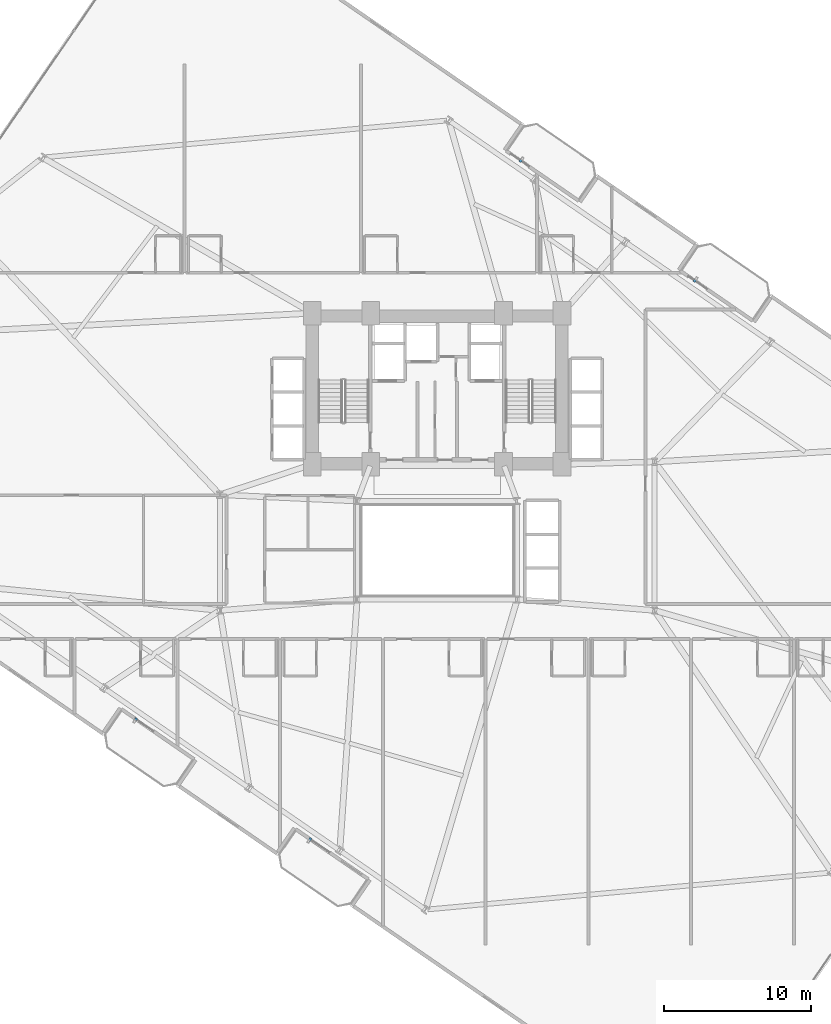
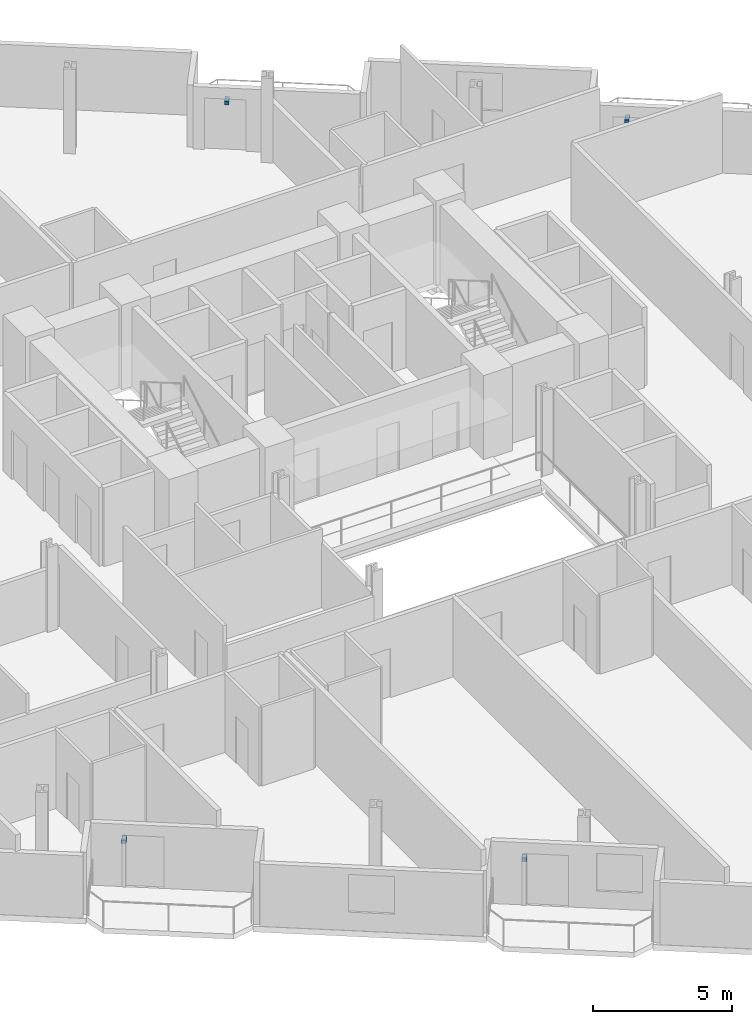
# One storey, part 22 of 25: 4 discrete accessories.
"""IFC4 building model written with IfcOpenShell, lengths in metres."""

from ifc_helpers import new_model, si_unit, direction, frame, origin, origin_2d, place, context, subcontext, project, spatial, rectangle, extrude, source, transform, mapped, material, type_object, element, save


model = new_model("IFC4")

# Units and contexts
model_context = context("Model", 3, precision=1e-05, world=origin(), true_north=direction((0.0, 1.0)))
body_context = subcontext(model_context, "Body", "Model", "MODEL_VIEW")
ifc_project = project(units=[si_unit("LENGTHUNIT", "METRE"), si_unit("AREAUNIT", "SQUARE_METRE"), si_unit("VOLUMEUNIT", "CUBIC_METRE"), si_unit("PLANEANGLEUNIT", "RADIAN"), si_unit("MASSUNIT", "GRAM", prefix="KILO")], contexts=[model_context])

# Site, building, storey
site_placement = place(None, origin())
site = spatial("IfcSite", under=ifc_project, at=site_placement, CompositionType="ELEMENT")
building_placement = place(site_placement, origin())
building = spatial("IfcBuilding", under=site, at=building_placement, Name="Varnelok Gate Tower", CompositionType="ELEMENT")
storey_placement = place(building_placement, frame((0.0, 0.0, 49.199951171875)))
storey = spatial("IfcBuildingStorey", under=building, at=storey_placement, Name="L11", CompositionType="ELEMENT", Elevation=49.199951171875)

# Discrete accessories
ifc_material = material(Name="Structural Steel ASTM A500 Grade C", Category="steel")
discrete_accessory_type = type_object("IfcDiscreteAccessoryType", Name="ACC-BAGUETTE-BRK", PredefinedType="BRACKET", material=ifc_material)
shared_shape = source(origin(), body_context, "Body", "SweptSolid", [
    extrude(rectangle(XDim=0.159912109375, YDim=0.340087890625, at=origin_2d()), origin(), (0.0, 0.0, 1.0), 0.139892578125),
])
for number, where, z_axis, x_axis, name in (
    (1, (18.64453125, 11.32421875, 1.97998046875), (0.0, 0.0, 1.0), (0.823532597628, -0.567268949127, 0.0), "L11 Terracotta Baguette Bracket 1.1"),
    (2, (30.50341796875, 3.155517578125, 1.97998046875), (0.0, 0.0, 1.0), (0.823532597628, -0.567268949127, 0.0), "L11 Terracotta Baguette Bracket 2.1"),
    (3, (44.931884765625, 49.48681640625, 1.97998046875), (0.0, 0.0, 1.0), (0.823532597628, -0.567268949127, 0.0), "L11 Terracotta Baguette Bracket 3.1"),
    (4, (56.790771484375, 41.318115234375, 1.97998046875), (0.0, 0.0, 1.0), (0.823532597628, -0.567268949127, 0.0), "L11 Terracotta Baguette Bracket 4.1"),
):
    element("IfcDiscreteAccessory", number, at=place(storey_placement, frame(where, z_axis=z_axis, x_axis=x_axis)), inside=storey, type_object=discrete_accessory_type, Name=name, PredefinedType="BRACKET", context=body_context, shape_type="MappedRepresentation", body=[
        mapped(shared_shape, transform((0.0, 0.0, 0.0), scale=1.0)),
    ])

save(model, "model.ifc")
